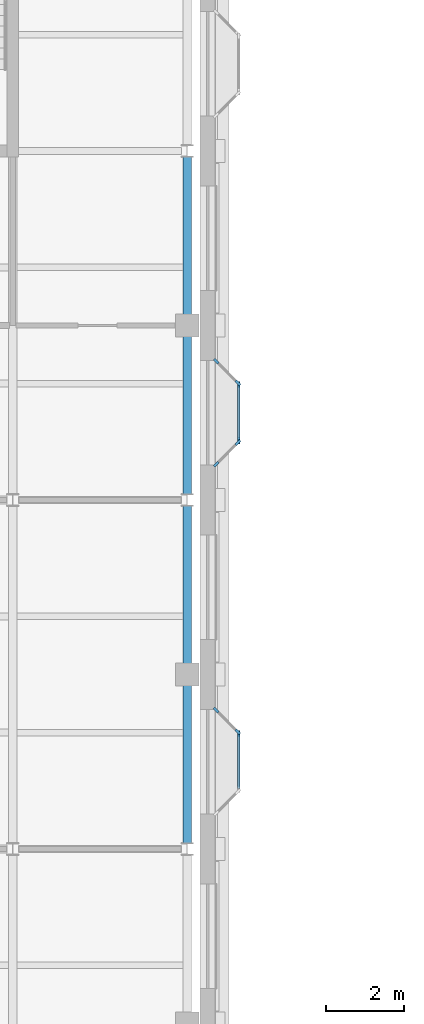
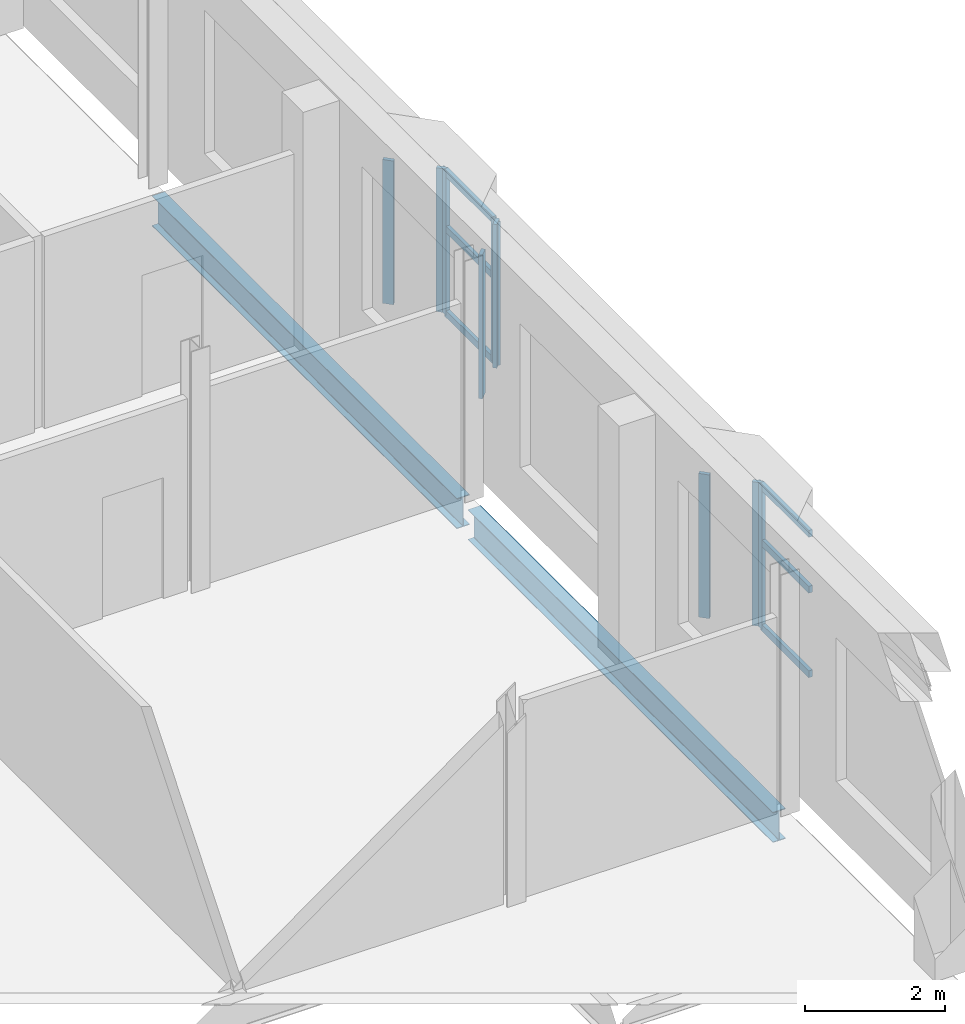
# One storey, part 11 of 62: 15 members, 2 beams, 5 elements without a shape of their own.
"""IFC4 building model written with IfcOpenShell, lengths in metres."""

import ifcopenshell
import ifcopenshell.guid

model = None  # the IFC model being written
_history = None  # IfcOwnerHistory: only IFC2X3 demands one
_inside = {}  # id of a spatial element -> (the spatial element, [elements in it])
_under = {}  # id of a project, library or spatial element -> (it, [spatial elements below it])
_declared = {}  # id of a project -> (the project, [libraries it declares])
_typed = {}  # id of a type object -> (the type object, [elements of that type])
_made_of = {}  # id of a material, layer set ... -> (it, [elements and type objects made of it])


def new_model(schema):
    """Start an empty IFC model of exactly this schema.

    Asked for "IFC4X3", IfcOpenShell would pick the latest addendum, in which some entities
    have other attributes; the version numbers below select the first issue.
    IFC2X3 requires an IfcOwnerHistory on every rooted entity: one is made here for all.
    """
    global model, _history
    if schema == "IFC4X3":
        model = ifcopenshell.file(schema_version=(4, 3, 0, 0))
    else:
        model = ifcopenshell.file(schema=schema)
    _inside.clear()
    _under.clear()
    _declared.clear()
    _typed.clear()
    _made_of.clear()
    _history = None
    if model.schema == "IFC2X3":
        org = make("IfcOrganization", Name="unknown")
        user = make(
            "IfcPersonAndOrganization",
            ThePerson=make("IfcPerson", FamilyName="unknown"),
            TheOrganization=org,
        )
        app = make(
            "IfcApplication",
            ApplicationDeveloper=org,
            Version="unknown",
            ApplicationFullName="unknown",
            ApplicationIdentifier="unknown",
        )
        _history = make(
            "IfcOwnerHistory",
            OwningUser=user,
            OwningApplication=app,
            ChangeAction="ADDED",
            CreationDate=0,
        )
    return model


def make(cls, **values):
    """One entity of the class cls with the attributes given. An attribute that is None is left unset."""
    return model.create_entity(
        cls, **{name: value for name, value in values.items() if value is not None}
    )


def rooted(cls, **values):
    """An entity with a GlobalId (a new one), such as an element, a storey or a relation."""
    return make(cls, GlobalId=ifcopenshell.guid.new(), OwnerHistory=_history, **values)


def si_unit(unit_type, name, prefix=None):
    """IfcSIUnit, for example si_unit("LENGTHUNIT", "METRE", prefix="MILLI")."""
    return make("IfcSIUnit", UnitType=unit_type, Prefix=prefix, Name=name)


def assignment(units):
    """IfcUnitAssignment: the units of a project."""
    return None if units is None else make("IfcUnitAssignment", Units=units)


def point(xyz):
    """IfcCartesianPoint."""
    return None if xyz is None else make("IfcCartesianPoint", Coordinates=xyz)


def direction(xyz):
    """IfcDirection."""
    return None if xyz is None else make("IfcDirection", DirectionRatios=xyz)


def frame(location, z_axis=None, x_axis=None):
    """IfcAxis2Placement3D, a coordinate frame: its origin and axes. An axis left out is left unset."""
    return make(
        "IfcAxis2Placement3D",
        Location=point(location),
        Axis=direction(z_axis),
        RefDirection=direction(x_axis),
    )


def frame_2d(location, x_axis=None):
    """IfcAxis2Placement2D, a coordinate frame in the plane: its origin and x axis."""
    return make(
        "IfcAxis2Placement2D", Location=point(location), RefDirection=direction(x_axis)
    )


def origin():
    """The frame at (0, 0, 0) with its axes left unset."""
    return frame((0.0, 0.0, 0.0))


def origin_2d():
    """The frame at (0, 0) in the plane with its x axis left unset."""
    return frame_2d((0.0, 0.0))


def place(relative_to, where):
    """IfcLocalPlacement: puts the frame where relative to a parent placement (None: the world)."""
    return make(
        "IfcLocalPlacement", PlacementRelTo=relative_to, RelativePlacement=where
    )


def context(
    kind, dimensions, precision=None, world=None, true_north=None, identifier=None
):
    """IfcGeometricRepresentationContext, for example the 3D "Model" context."""
    return make(
        "IfcGeometricRepresentationContext",
        ContextIdentifier=identifier,
        ContextType=kind,
        CoordinateSpaceDimension=dimensions,
        Precision=precision,
        WorldCoordinateSystem=world,
        TrueNorth=true_north,
    )


def subcontext(parent, identifier, kind, view, scale=None):
    """IfcGeometricRepresentationSubContext, for example "Body" below "Model"."""
    return make(
        "IfcGeometricRepresentationSubContext",
        ContextIdentifier=identifier,
        ContextType=kind,
        ParentContext=parent,
        TargetScale=scale,
        TargetView=view,
    )


def project(units=None, contexts=None):
    """IfcProject with its units and contexts."""
    return rooted(
        "IfcProject",
        Name="project",
        RepresentationContexts=contexts,
        UnitsInContext=assignment(units),
    )


def spatial(cls, under=None, at=None, **own):
    """A site, building, storey or space (cls), placed at a placement, below another one or the project."""
    s = rooted(cls, ObjectPlacement=at, **own)
    if under is not None:
        _under.setdefault(under.id(), (under, []))[1].append(s)
    return s


def profile(cls, at=None, kind="AREA", **sizes):
    """A parametric profile (cls). Its sizes go by their IFC names, for example OverallWidth=200.0."""
    return make(cls, ProfileType=kind, Position=at, **sizes)


def rectangle(**sizes):
    """IfcRectangleProfileDef."""
    return profile("IfcRectangleProfileDef", **sizes)


def i_section(**sizes):
    """IfcIShapeProfileDef."""
    return profile("IfcIShapeProfileDef", **sizes)


def extrude(swept, where, along, depth):
    """IfcExtrudedAreaSolid: the profile swept, set in the frame where, extruded along a direction by depth."""
    return make(
        "IfcExtrudedAreaSolid",
        SweptArea=swept,
        Position=where,
        ExtrudedDirection=direction(along),
        Depth=depth,
    )


def shape(context_of_items, identifier, shape_type, items):
    """IfcShapeRepresentation: the items that make up one representation, for example the "Body"."""
    return make(
        "IfcShapeRepresentation",
        ContextOfItems=context_of_items,
        RepresentationIdentifier=identifier,
        RepresentationType=shape_type,
        Items=items,
    )


def material(Name=None, Category=None):
    """IfcMaterial."""
    return make("IfcMaterial", Name=Name, Category=Category)


def layer(
    of_material, thickness, ventilated=None, Name=None, Category=None, Priority=None
):
    """IfcMaterialLayer: one layer of a wall or slab, of a material (None: an air gap)."""
    return make(
        "IfcMaterialLayer",
        Material=of_material,
        LayerThickness=thickness,
        IsVentilated=ventilated,
        Name=Name,
        Category=Category,
        Priority=Priority,
    )


def layer_set(layers, Name=None):
    """IfcMaterialLayerSet."""
    return make("IfcMaterialLayerSet", MaterialLayers=layers, LayerSetName=Name)


def material_profile(
    of_material, cross_section, Name=None, Category=None, Priority=None
):
    """IfcMaterialProfile: a cross section and its material."""
    return make(
        "IfcMaterialProfile",
        Name=Name,
        Material=of_material,
        Profile=cross_section,
        Priority=Priority,
        Category=Category,
    )


def profile_set(profiles, Name=None, composite=None):
    """IfcMaterialProfileSet."""
    return make(
        "IfcMaterialProfileSet",
        Name=Name,
        MaterialProfiles=profiles,
        CompositeProfile=composite,
    )


def made_of(thing, what):
    """Note that an element or type object is made of a material, layer set ...; save() writes the relation."""
    if what is not None:
        _made_of.setdefault(what.id(), (what, []))[1].append(thing)
    return thing


def type_object(cls, material=None, **own):
    """A type object (cls), such as IfcWallType, which elements share."""
    return made_of(rooted(cls, **own), material)


def element(
    cls,
    number,
    at=None,
    inside=None,
    cuts=None,
    type_object=None,
    material=None,
    context=None,
    identifier="Body",
    shape_type=None,
    held_by="IfcProductDefinitionShape",
    body=None,
    shapes=None,
    **own,
):
    """One element of the class cls, such as IfcWall. Its Tag is "e" and its number.

    at: its placement. inside: the storey or other place that contains it. cuts: it is an
    opening in that element (IfcRelVoidsElement). A single representation is given by context,
    identifier, shape_type and body (its items); several are given by shapes. held_by: the class
    of the entity that holds the representations. save() writes the other relations.
    """
    e = rooted(cls, Tag="e%d" % number, ObjectPlacement=at, **own)
    if body is not None:
        shapes = [shape(context, identifier, shape_type, body)]
    if shapes is not None:
        e.Representation = make(held_by, Representations=shapes)
    if inside is not None:
        _inside.setdefault(inside.id(), (inside, []))[1].append(e)
    if cuts is not None:
        rooted(
            "IfcRelVoidsElement", RelatingBuildingElement=cuts, RelatedOpeningElement=e
        )
    if type_object is not None:
        _typed.setdefault(type_object.id(), (type_object, []))[1].append(e)
    return made_of(e, material)


def aggregate(whole, parts):
    """IfcRelAggregates: a whole, such as a stair, and the parts it consists of."""
    return rooted("IfcRelAggregates", RelatingObject=whole, RelatedObjects=parts)


def save(model, path):
    """Write the relations noted so far, then the file.

    IfcRelAggregates (storeys below a building ...), IfcRelContainedInSpatialStructure (elements
    in a storey), IfcRelDefinesByType, IfcRelAssociatesMaterial and IfcRelDeclares: one each for
    every whole, place, type object, material and project.
    """
    for whole, parts in _under.values():
        aggregate(whole, parts)
    for where, things in _inside.values():
        rooted(
            "IfcRelContainedInSpatialStructure",
            RelatedElements=things,
            RelatingStructure=where,
        )
    for kind, things in _typed.values():
        rooted("IfcRelDefinesByType", RelatedObjects=things, RelatingType=kind)
    for what, things in _made_of.values():
        rooted("IfcRelAssociatesMaterial", RelatedObjects=things, RelatingMaterial=what)
    for by, libraries in _declared.values():
        rooted("IfcRelDeclares", RelatingContext=by, RelatedDefinitions=libraries)
    model.write(path)


model = new_model("IFC4")

# Units and contexts
model_context = context("Model", 3, precision=1e-05, world=origin(), true_north=direction((0.0, 1.0)))
body_context = subcontext(model_context, "Body", "Model", "MODEL_VIEW")
ifc_project = project(units=[si_unit("LENGTHUNIT", "METRE"), si_unit("AREAUNIT", "SQUARE_METRE"), si_unit("VOLUMEUNIT", "CUBIC_METRE"), si_unit("PLANEANGLEUNIT", "RADIAN"), si_unit("MASSUNIT", "GRAM", prefix="KILO")], contexts=[model_context])

# Site, building, storey
site_placement = place(None, origin())
site = spatial("IfcSite", under=ifc_project, at=site_placement, CompositionType="ELEMENT")
building_placement = place(site_placement, origin())
building = spatial("IfcBuilding", under=site, at=building_placement, Name="Hortulan Conservatory and Botanical Research Centre", CompositionType="ELEMENT")
storey_placement = place(building_placement, frame((0.0, 0.0, 15.0)))
storey = spatial("IfcBuildingStorey", under=building, at=storey_placement, Name="L03", CompositionType="ELEMENT", Elevation=15.0)

# Curtain wall, members
ifc_material_1 = material(Name="Bronze-finished aluminium", Category="aluminium")
ifc_layer = layer(ifc_material_1, 0.10009765625)
ifc_layer_set = layer_set([ifc_layer], Name="Oriel Curtain Wall 1350 module")
curtain_wall_type = type_object("IfcCurtainWallType", Name="Oriel Curtain Wall 1350 module", PredefinedType="NOTDEFINED", material=ifc_layer_set)
curtain_wall_1_placement = place(storey_placement, origin())
curtain_wall_1 = element("IfcCurtainWall", 1, at=curtain_wall_1_placement, inside=storey, type_object=curtain_wall_type, Name="Oriel glazing", PredefinedType="NOTDEFINED")
ifc_material_profile_1 = material_profile(ifc_material_1, rectangle(XDim=0.06005859375, YDim=0.159912109375, at=origin_2d()), Name="Bronze Mullion 60x160")
ifc_profile_set_1 = profile_set([ifc_material_profile_1], Name="Bronze-finished aluminium")
member_type_1 = type_object("IfcMemberType", Name="Bronze Mullion 60x160", PredefinedType="MULLION", material=ifc_profile_set_1)
member_1_placement = place(storey_placement, frame((32.24609375, 48.578857421875, 0.89990234375), z_axis=(0.0, 0.0, 1.0), x_axis=(0.707106781187, 0.707106781187, 0.0)))
member_1 = element("IfcMember", 2, at=member_1_placement, type_object=member_type_1, Name="CW2 mullion 1", PredefinedType="MULLION", context=body_context, shape_type="SweptSolid", body=[
    extrude(rectangle(XDim=0.06005859375, YDim=0.159912109375, at=origin_2d()), origin(), (0.0, 0.0, 1.0), 2.5),
])
member_2_placement = place(storey_placement, frame((32.8037109375, 48.021240234375, 0.89990234375), z_axis=(0.0, 0.0, 1.0), x_axis=(0.707106781187, 0.707106781187, 0.0)))
member_2 = element("IfcMember", 3, at=member_2_placement, type_object=member_type_1, Name="CW2 mullion 2", PredefinedType="MULLION", context=body_context, shape_type="SweptSolid", body=[
    extrude(rectangle(XDim=0.06005859375, YDim=0.159912109375, at=origin_2d()), origin(), (0.0, 0.0, 1.0), 2.5),
])
aggregate(curtain_wall_1, [member_1, member_2])

# Curtain wall, member
curtain_wall_2_placement = place(storey_placement, origin())
curtain_wall_2 = element("IfcCurtainWall", 4, at=curtain_wall_2_placement, inside=storey, type_object=curtain_wall_type, Name="Oriel glazing", PredefinedType="NOTDEFINED")
member_3_placement = place(storey_placement, frame((32.824951171875, 47.969970703125, 0.89990234375), z_axis=(0.0, 0.0, 1.0), x_axis=(1.0, 0.0, 0.0)))
member_3 = element("IfcMember", 5, at=member_3_placement, type_object=member_type_1, Name="CW2 mullion 1", PredefinedType="MULLION", context=body_context, shape_type="SweptSolid", body=[
    extrude(rectangle(XDim=0.06005859375, YDim=0.159912109375, at=origin_2d()), origin(), (0.0, 0.0, 1.0), 2.5),
])

# Curtain wall, members
curtain_wall_3_placement = place(storey_placement, origin())
curtain_wall_3 = element("IfcCurtainWall", 6, at=curtain_wall_3_placement, inside=storey, type_object=curtain_wall_type, Name="Oriel glazing", PredefinedType="NOTDEFINED")
member_4_placement = place(storey_placement, frame((32.24609375, 57.578857421875, 0.89990234375), z_axis=(0.0, 0.0, 1.0), x_axis=(0.707106781187, 0.707106781187, 0.0)))
member_4 = element("IfcMember", 7, at=member_4_placement, type_object=member_type_1, Name="CW2 mullion 1", PredefinedType="MULLION", context=body_context, shape_type="SweptSolid", body=[
    extrude(rectangle(XDim=0.06005859375, YDim=0.159912109375, at=origin_2d()), origin(), (0.0, 0.0, 1.0), 2.5),
])
member_5_placement = place(storey_placement, frame((32.8037109375, 57.021240234375, 0.89990234375), z_axis=(0.0, 0.0, 1.0), x_axis=(0.707106781187, 0.707106781187, 0.0)))
member_5 = element("IfcMember", 8, at=member_5_placement, type_object=member_type_1, Name="CW2 mullion 2", PredefinedType="MULLION", context=body_context, shape_type="SweptSolid", body=[
    extrude(rectangle(XDim=0.06005859375, YDim=0.159912109375, at=origin_2d()), origin(), (0.0, 0.0, 1.0), 2.5),
])
aggregate(curtain_wall_3, [member_4, member_5])

curtain_wall_4_placement = place(storey_placement, origin())
curtain_wall_4 = element("IfcCurtainWall", 9, at=curtain_wall_4_placement, inside=storey, type_object=curtain_wall_type, Name="Oriel glazing", PredefinedType="NOTDEFINED")
member_6_placement = place(storey_placement, frame((32.824951171875, 56.969970703125, 0.89990234375), z_axis=(0.0, 0.0, 1.0), x_axis=(1.0, 0.0, 0.0)))
member_6 = element("IfcMember", 10, at=member_6_placement, type_object=member_type_1, Name="CW2 mullion 1", PredefinedType="MULLION", context=body_context, shape_type="SweptSolid", body=[
    extrude(rectangle(XDim=0.06005859375, YDim=0.159912109375, at=origin_2d()), origin(), (0.0, 0.0, 1.0), 2.5),
])
member_7_placement = place(storey_placement, frame((32.824951171875, 55.530029296875, 0.89990234375), z_axis=(0.0, 0.0, 1.0), x_axis=(1.0, 0.0, 0.0)))
member_7 = element("IfcMember", 11, at=member_7_placement, type_object=member_type_1, Name="CW2 mullion 2", PredefinedType="MULLION", context=body_context, shape_type="SweptSolid", body=[
    extrude(rectangle(XDim=0.06005859375, YDim=0.159912109375, at=origin_2d()), origin(), (0.0, 0.0, 1.0), 2.5),
])

curtain_wall_5_placement = place(storey_placement, origin())
curtain_wall_5 = element("IfcCurtainWall", 12, at=curtain_wall_5_placement, inside=storey, type_object=curtain_wall_type, Name="Oriel glazing", PredefinedType="NOTDEFINED")
member_8_placement = place(storey_placement, frame((32.8037109375, 55.478759765625, 0.89990234375), z_axis=(0.0, 0.0, 1.0), x_axis=(0.707106781187, -0.707106781187, 0.0)))
member_8 = element("IfcMember", 13, at=member_8_placement, type_object=member_type_1, Name="CW2 mullion 1", PredefinedType="MULLION", context=body_context, shape_type="SweptSolid", body=[
    extrude(rectangle(XDim=0.06005859375, YDim=0.159912109375, at=origin_2d()), origin(), (0.0, 0.0, 1.0), 2.5),
])
member_9_placement = place(storey_placement, frame((32.24609375, 54.921142578125, 0.89990234375), z_axis=(0.0, 0.0, 1.0), x_axis=(0.707106781187, -0.707106781187, 0.0)))
member_9 = element("IfcMember", 14, at=member_9_placement, type_object=member_type_1, Name="CW2 mullion 2", PredefinedType="MULLION", context=body_context, shape_type="SweptSolid", body=[
    extrude(rectangle(XDim=0.06005859375, YDim=0.159912109375, at=origin_2d()), origin(), (0.0, 0.0, 1.0), 2.5),
])
aggregate(curtain_wall_5, [member_8, member_9])

# Member
ifc_material_profile_2 = material_profile(ifc_material_1, rectangle(XDim=0.06005859375, YDim=0.1201171875, at=origin_2d()), Name="Bronze Transom 60x120")
ifc_profile_set_2 = profile_set([ifc_material_profile_2], Name="Bronze-finished aluminium")
member_type_2 = type_object("IfcMemberType", Name="Bronze Transom 60x120", PredefinedType="USERDEFINED", material=ifc_profile_set_2)
member_10_placement = place(storey_placement, frame((32.824951171875, 47.93994140625, 0.929931640625), z_axis=(0.0, -1.0, 0.0), x_axis=(1.0, 0.0, 0.0)))
member_10 = element("IfcMember", 15, at=member_10_placement, type_object=member_type_2, Name="CW2 transom 1.1", ObjectType="TRANSOM", PredefinedType="USERDEFINED", context=body_context, shape_type="SweptSolid", body=[
    extrude(rectangle(XDim=0.06005859375, YDim=0.1201171875, at=origin_2d()), origin(), (0.0, 0.0, 1.0), 1.3798828125),
])

member_11_placement = place(storey_placement, frame((32.824951171875, 47.93994140625, 2.39990234375), z_axis=(0.0, -1.0, 0.0), x_axis=(1.0, 0.0, 0.0)))
member_11 = element("IfcMember", 16, at=member_11_placement, type_object=member_type_2, Name="CW2 transom 1.2", ObjectType="TRANSOM", PredefinedType="USERDEFINED", context=body_context, shape_type="SweptSolid", body=[
    extrude(rectangle(XDim=0.06005859375, YDim=0.1201171875, at=origin_2d()), origin(), (0.0, 0.0, 1.0), 1.3798828125),
])

member_12_placement = place(storey_placement, frame((32.824951171875, 47.93994140625, 3.3701171875), z_axis=(0.0, -1.0, 0.0), x_axis=(1.0, 0.0, 0.0)))
member_12 = element("IfcMember", 17, at=member_12_placement, type_object=member_type_2, Name="CW2 transom 1.3", ObjectType="TRANSOM", PredefinedType="USERDEFINED", context=body_context, shape_type="SweptSolid", body=[
    extrude(rectangle(XDim=0.06005859375, YDim=0.1201171875, at=origin_2d()), origin(), (0.0, 0.0, 1.0), 1.3798828125),
])

aggregate(curtain_wall_2, [member_3, member_10, member_11, member_12])

member_13_placement = place(storey_placement, frame((32.824951171875, 56.93994140625, 0.929931640625), z_axis=(0.0, -1.0, 0.0), x_axis=(1.0, 0.0, 0.0)))
member_13 = element("IfcMember", 18, at=member_13_placement, type_object=member_type_2, Name="CW2 transom 1.1", ObjectType="TRANSOM", PredefinedType="USERDEFINED", context=body_context, shape_type="SweptSolid", body=[
    extrude(rectangle(XDim=0.06005859375, YDim=0.1201171875, at=origin_2d()), origin(), (0.0, 0.0, 1.0), 1.3798828125),
])

member_14_placement = place(storey_placement, frame((32.824951171875, 56.93994140625, 2.39990234375), z_axis=(0.0, -1.0, 0.0), x_axis=(1.0, 0.0, 0.0)))
member_14 = element("IfcMember", 19, at=member_14_placement, type_object=member_type_2, Name="CW2 transom 1.2", ObjectType="TRANSOM", PredefinedType="USERDEFINED", context=body_context, shape_type="SweptSolid", body=[
    extrude(rectangle(XDim=0.06005859375, YDim=0.1201171875, at=origin_2d()), origin(), (0.0, 0.0, 1.0), 1.3798828125),
])

member_15_placement = place(storey_placement, frame((32.824951171875, 56.93994140625, 3.3701171875), z_axis=(0.0, -1.0, 0.0), x_axis=(1.0, 0.0, 0.0)))
member_15 = element("IfcMember", 20, at=member_15_placement, type_object=member_type_2, Name="CW2 transom 1.3", ObjectType="TRANSOM", PredefinedType="USERDEFINED", context=body_context, shape_type="SweptSolid", body=[
    extrude(rectangle(XDim=0.06005859375, YDim=0.1201171875, at=origin_2d()), origin(), (0.0, 0.0, 1.0), 1.3798828125),
])

aggregate(curtain_wall_4, [member_6, member_7, member_13, member_14, member_15])

# Beams
ifc_material_2 = material(Name="Steel Grade 300PLUS (AS/NZS 3679.1, 280 MPa minimum yield)", Category="steel")
ifc_material_profile_3 = material_profile(ifc_material_2, i_section(OverallWidth=0.208984375, OverallDepth=0.528076171875, WebThickness=0.009521484375, FlangeThickness=0.01318359375, FilletRadius=0.013916015625, at=origin_2d()), Name="530UB82.0")
ifc_profile_set_3 = profile_set([ifc_material_profile_3], Name="Steel Grade 300PLUS (AS/NZS 3679.1, 280 MPa minimum yield)")
beam_type = type_object("IfcBeamType", Name="Primary Beam 530UB82.0", PredefinedType="BEAM", material=ifc_profile_set_3)
for number, where, z_axis, x_axis, name in (
    (21, (31.5, 45.157470703125, -0.39404296875), (0.0, 1.0, 0.0), (-1.0, 0.0, 0.0), "530UB82.0 girder"),
    (22, (31.5, 54.157470703125, -0.39404296875), (0.0, 1.0, 0.0), (-1.0, 0.0, 0.0), "530UB82.0 girder"),
):
    element("IfcBeam", number, at=place(storey_placement, frame(where, z_axis=z_axis, x_axis=x_axis)), inside=storey, type_object=beam_type, Name=name, PredefinedType="BEAM", context=body_context, shape_type="SweptSolid", body=[
        extrude(i_section(OverallWidth=0.208984375, OverallDepth=0.528076171875, WebThickness=0.009521484375, FlangeThickness=0.01318359375, FilletRadius=0.013916015625, at=origin_2d()), origin(), (0.0, 0.0, 1.0), 8.68505859375),
    ])

save(model, "model.ifc")
